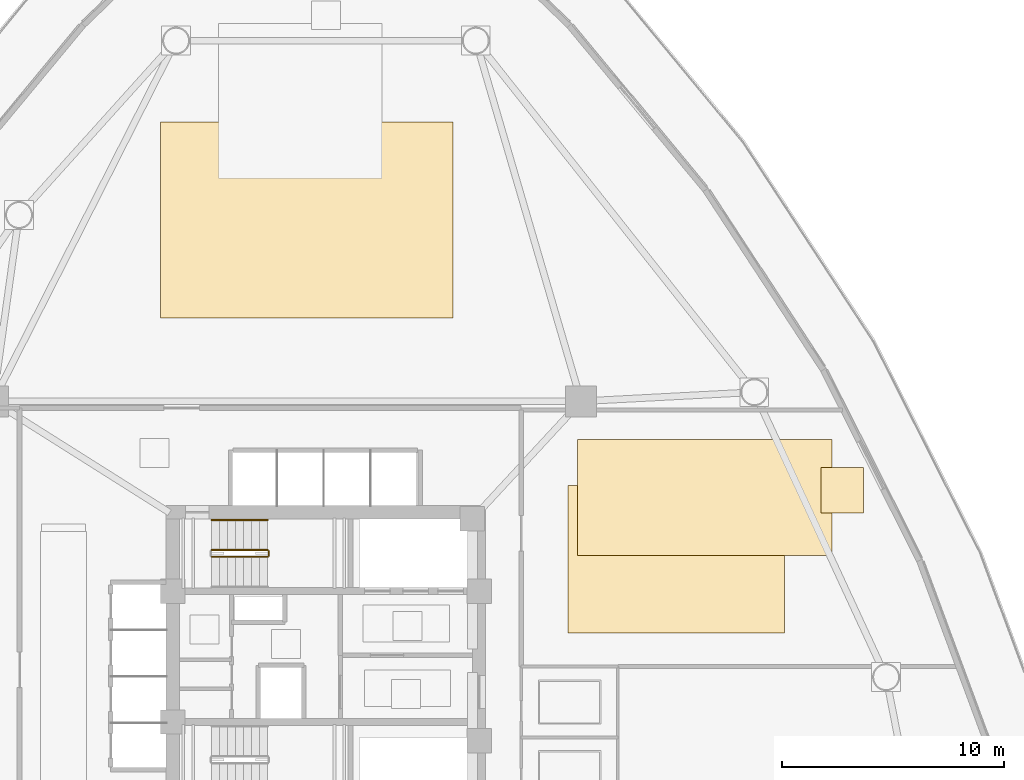
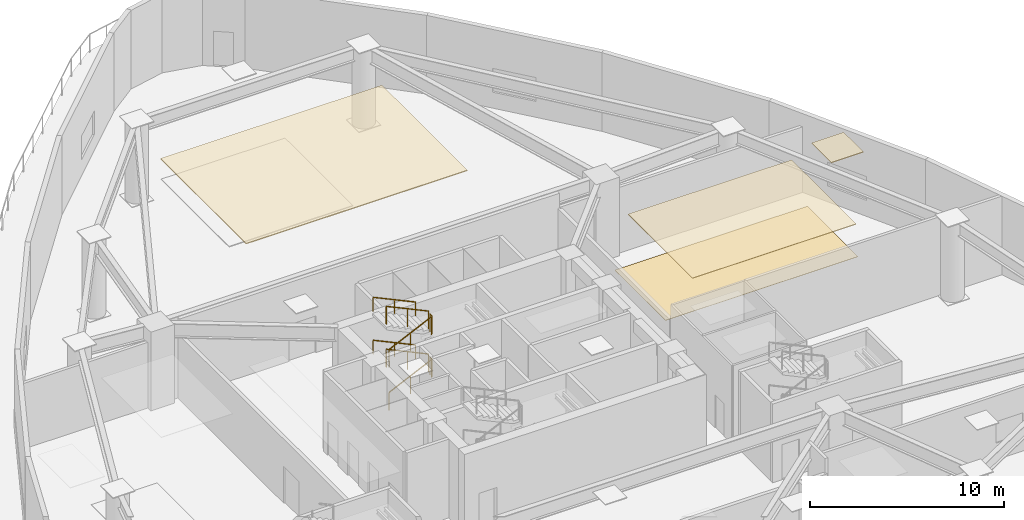
# One storey, part 12 of 13: 8 railings, 4 coverings.
"""IFC4 building model written with IfcOpenShell, lengths in metres."""

import ifcopenshell
import ifcopenshell.guid

model = None  # the IFC model being written
_history = None  # IfcOwnerHistory: only IFC2X3 demands one
_inside = {}  # id of a spatial element -> (the spatial element, [elements in it])
_under = {}  # id of a project, library or spatial element -> (it, [spatial elements below it])
_declared = {}  # id of a project -> (the project, [libraries it declares])
_typed = {}  # id of a type object -> (the type object, [elements of that type])
_made_of = {}  # id of a material, layer set ... -> (it, [elements and type objects made of it])


def new_model(schema):
    """Start an empty IFC model of exactly this schema.

    Asked for "IFC4X3", IfcOpenShell would pick the latest addendum, in which some entities
    have other attributes; the version numbers below select the first issue.
    IFC2X3 requires an IfcOwnerHistory on every rooted entity: one is made here for all.
    """
    global model, _history
    if schema == "IFC4X3":
        model = ifcopenshell.file(schema_version=(4, 3, 0, 0))
    else:
        model = ifcopenshell.file(schema=schema)
    _inside.clear()
    _under.clear()
    _declared.clear()
    _typed.clear()
    _made_of.clear()
    _history = None
    if model.schema == "IFC2X3":
        org = make("IfcOrganization", Name="unknown")
        user = make(
            "IfcPersonAndOrganization",
            ThePerson=make("IfcPerson", FamilyName="unknown"),
            TheOrganization=org,
        )
        app = make(
            "IfcApplication",
            ApplicationDeveloper=org,
            Version="unknown",
            ApplicationFullName="unknown",
            ApplicationIdentifier="unknown",
        )
        _history = make(
            "IfcOwnerHistory",
            OwningUser=user,
            OwningApplication=app,
            ChangeAction="ADDED",
            CreationDate=0,
        )
    return model


def make(cls, **values):
    """One entity of the class cls with the attributes given. An attribute that is None is left unset."""
    return model.create_entity(
        cls, **{name: value for name, value in values.items() if value is not None}
    )


def rooted(cls, **values):
    """An entity with a GlobalId (a new one), such as an element, a storey or a relation."""
    return make(cls, GlobalId=ifcopenshell.guid.new(), OwnerHistory=_history, **values)


def si_unit(unit_type, name, prefix=None):
    """IfcSIUnit, for example si_unit("LENGTHUNIT", "METRE", prefix="MILLI")."""
    return make("IfcSIUnit", UnitType=unit_type, Prefix=prefix, Name=name)


def assignment(units):
    """IfcUnitAssignment: the units of a project."""
    return None if units is None else make("IfcUnitAssignment", Units=units)


def point(xyz):
    """IfcCartesianPoint."""
    return None if xyz is None else make("IfcCartesianPoint", Coordinates=xyz)


def direction(xyz):
    """IfcDirection."""
    return None if xyz is None else make("IfcDirection", DirectionRatios=xyz)


def frame(location, z_axis=None, x_axis=None):
    """IfcAxis2Placement3D, a coordinate frame: its origin and axes. An axis left out is left unset."""
    return make(
        "IfcAxis2Placement3D",
        Location=point(location),
        Axis=direction(z_axis),
        RefDirection=direction(x_axis),
    )


def frame_2d(location, x_axis=None):
    """IfcAxis2Placement2D, a coordinate frame in the plane: its origin and x axis."""
    return make(
        "IfcAxis2Placement2D", Location=point(location), RefDirection=direction(x_axis)
    )


def origin():
    """The frame at (0, 0, 0) with its axes left unset."""
    return frame((0.0, 0.0, 0.0))


def origin_2d():
    """The frame at (0, 0) in the plane with its x axis left unset."""
    return frame_2d((0.0, 0.0))


def place(relative_to, where):
    """IfcLocalPlacement: puts the frame where relative to a parent placement (None: the world)."""
    return make(
        "IfcLocalPlacement", PlacementRelTo=relative_to, RelativePlacement=where
    )


def context(
    kind, dimensions, precision=None, world=None, true_north=None, identifier=None
):
    """IfcGeometricRepresentationContext, for example the 3D "Model" context."""
    return make(
        "IfcGeometricRepresentationContext",
        ContextIdentifier=identifier,
        ContextType=kind,
        CoordinateSpaceDimension=dimensions,
        Precision=precision,
        WorldCoordinateSystem=world,
        TrueNorth=true_north,
    )


def subcontext(parent, identifier, kind, view, scale=None):
    """IfcGeometricRepresentationSubContext, for example "Body" below "Model"."""
    return make(
        "IfcGeometricRepresentationSubContext",
        ContextIdentifier=identifier,
        ContextType=kind,
        ParentContext=parent,
        TargetScale=scale,
        TargetView=view,
    )


def project(units=None, contexts=None):
    """IfcProject with its units and contexts."""
    return rooted(
        "IfcProject",
        Name="project",
        RepresentationContexts=contexts,
        UnitsInContext=assignment(units),
    )


def spatial(cls, under=None, at=None, **own):
    """A site, building, storey or space (cls), placed at a placement, below another one or the project."""
    s = rooted(cls, ObjectPlacement=at, **own)
    if under is not None:
        _under.setdefault(under.id(), (under, []))[1].append(s)
    return s


def polyline(points):
    """IfcPolyline through the points."""
    return make("IfcPolyline", Points=[point(p) for p in points])


def profile(cls, at=None, kind="AREA", **sizes):
    """A parametric profile (cls). Its sizes go by their IFC names, for example OverallWidth=200.0."""
    return make(cls, ProfileType=kind, Position=at, **sizes)


def rectangle(**sizes):
    """IfcRectangleProfileDef."""
    return profile("IfcRectangleProfileDef", **sizes)


def outline(outer, holes=None, kind="AREA"):
    """IfcArbitraryClosedProfileDef: a profile drawn as a closed curve; with holes, ...WithVoids."""
    if holes is None:
        return make("IfcArbitraryClosedProfileDef", ProfileType=kind, OuterCurve=outer)
    return make(
        "IfcArbitraryProfileDefWithVoids",
        ProfileType=kind,
        OuterCurve=outer,
        InnerCurves=holes,
    )


def extrude(swept, where, along, depth):
    """IfcExtrudedAreaSolid: the profile swept, set in the frame where, extruded along a direction by depth."""
    return make(
        "IfcExtrudedAreaSolid",
        SweptArea=swept,
        Position=where,
        ExtrudedDirection=direction(along),
        Depth=depth,
    )


def shape(context_of_items, identifier, shape_type, items):
    """IfcShapeRepresentation: the items that make up one representation, for example the "Body"."""
    return make(
        "IfcShapeRepresentation",
        ContextOfItems=context_of_items,
        RepresentationIdentifier=identifier,
        RepresentationType=shape_type,
        Items=items,
    )


def material(Name=None, Category=None):
    """IfcMaterial."""
    return make("IfcMaterial", Name=Name, Category=Category)


def layer(
    of_material, thickness, ventilated=None, Name=None, Category=None, Priority=None
):
    """IfcMaterialLayer: one layer of a wall or slab, of a material (None: an air gap)."""
    return make(
        "IfcMaterialLayer",
        Material=of_material,
        LayerThickness=thickness,
        IsVentilated=ventilated,
        Name=Name,
        Category=Category,
        Priority=Priority,
    )


def layer_set(layers, Name=None):
    """IfcMaterialLayerSet."""
    return make("IfcMaterialLayerSet", MaterialLayers=layers, LayerSetName=Name)


def made_of(thing, what):
    """Note that an element or type object is made of a material, layer set ...; save() writes the relation."""
    if what is not None:
        _made_of.setdefault(what.id(), (what, []))[1].append(thing)
    return thing


def type_object(cls, material=None, **own):
    """A type object (cls), such as IfcWallType, which elements share."""
    return made_of(rooted(cls, **own), material)


def element(
    cls,
    number,
    at=None,
    inside=None,
    cuts=None,
    type_object=None,
    material=None,
    context=None,
    identifier="Body",
    shape_type=None,
    held_by="IfcProductDefinitionShape",
    body=None,
    shapes=None,
    **own,
):
    """One element of the class cls, such as IfcWall. Its Tag is "e" and its number.

    at: its placement. inside: the storey or other place that contains it. cuts: it is an
    opening in that element (IfcRelVoidsElement). A single representation is given by context,
    identifier, shape_type and body (its items); several are given by shapes. held_by: the class
    of the entity that holds the representations. save() writes the other relations.
    """
    e = rooted(cls, Tag="e%d" % number, ObjectPlacement=at, **own)
    if body is not None:
        shapes = [shape(context, identifier, shape_type, body)]
    if shapes is not None:
        e.Representation = make(held_by, Representations=shapes)
    if inside is not None:
        _inside.setdefault(inside.id(), (inside, []))[1].append(e)
    if cuts is not None:
        rooted(
            "IfcRelVoidsElement", RelatingBuildingElement=cuts, RelatedOpeningElement=e
        )
    if type_object is not None:
        _typed.setdefault(type_object.id(), (type_object, []))[1].append(e)
    return made_of(e, material)


def aggregate(whole, parts):
    """IfcRelAggregates: a whole, such as a stair, and the parts it consists of."""
    return rooted("IfcRelAggregates", RelatingObject=whole, RelatedObjects=parts)


def save(model, path):
    """Write the relations noted so far, then the file.

    IfcRelAggregates (storeys below a building ...), IfcRelContainedInSpatialStructure (elements
    in a storey), IfcRelDefinesByType, IfcRelAssociatesMaterial and IfcRelDeclares: one each for
    every whole, place, type object, material and project.
    """
    for whole, parts in _under.values():
        aggregate(whole, parts)
    for where, things in _inside.values():
        rooted(
            "IfcRelContainedInSpatialStructure",
            RelatedElements=things,
            RelatingStructure=where,
        )
    for kind, things in _typed.values():
        rooted("IfcRelDefinesByType", RelatedObjects=things, RelatingType=kind)
    for what, things in _made_of.values():
        rooted("IfcRelAssociatesMaterial", RelatedObjects=things, RelatingMaterial=what)
    for by, libraries in _declared.values():
        rooted("IfcRelDeclares", RelatingContext=by, RelatedDefinitions=libraries)
    model.write(path)


model = new_model("IFC4")

# Units and contexts
model_context = context("Model", 3, precision=1e-05, world=origin(), true_north=direction((0.0, 1.0)))
body_context = subcontext(model_context, "Body", "Model", "MODEL_VIEW")
ifc_project = project(units=[si_unit("LENGTHUNIT", "METRE"), si_unit("AREAUNIT", "SQUARE_METRE"), si_unit("VOLUMEUNIT", "CUBIC_METRE"), si_unit("PLANEANGLEUNIT", "RADIAN"), si_unit("MASSUNIT", "GRAM", prefix="KILO")], contexts=[model_context])

# Site, building, storey
site_placement = place(None, origin())
site = spatial("IfcSite", under=ifc_project, at=site_placement, CompositionType="ELEMENT")
building_placement = place(site_placement, origin())
building = spatial("IfcBuilding", under=site, at=building_placement, Name="Tavelor Broadcast Tower", CompositionType="ELEMENT")
storey_placement = place(building_placement, frame((0.0, 0.0, 16.800048828125)))
storey = spatial("IfcBuildingStorey", under=building, at=storey_placement, Name="L03", CompositionType="ELEMENT", Elevation=16.800048828125)

# Railings
ifc_material_1 = material(Name="Steel S355", Category="steel")
railing_type_1 = type_object("IfcRailingType", Name="Continuous Brushed Stainless Handrail 900 mm", PredefinedType="HANDRAIL", material=ifc_material_1)
for number, where, name in (
    (1, (47.3701171875, 51.14990234375, 1.518798828125), "L03 ST1 stair handrail 2"),
    (2, (47.3701171875, 51.14990234375, 4.21875), "L03 ST1 stair handrail 4"),
):
    element("IfcRailing", number, at=place(storey_placement, frame(where)), inside=storey, type_object=railing_type_1, Name=name, PredefinedType="HANDRAIL", context=body_context, shape_type="SweptSolid", body=[
        extrude(rectangle(XDim=0.048095703125, YDim=0.048095703125, at=origin_2d()), frame((0.0, 0.0, 0.8759765625), z_axis=(-0.905473684625, 0.0, 0.424402410988), x_axis=(0.0, -1.0, 0.0)), (0.0, 0.0, 1.0), 2.783203125),
        extrude(rectangle(XDim=0.0419921875, YDim=0.0419921875, at=origin_2d()), origin(), (0.0, 0.0, 1.0), 0.851806640625),
        extrude(rectangle(XDim=0.0419921875, YDim=0.0419921875, at=origin_2d()), frame((-1.260009765625, 0.0, 0.590576171875)), (0.0, 0.0, 1.0), 0.851806640625),
        extrude(rectangle(XDim=0.0419921875, YDim=0.0419921875, at=origin_2d()), frame((-2.52001953125, 0.0, 1.18115234375)), (0.0, 0.0, 1.0), 0.851806640625),
    ])

# Coverings
ifc_material_2 = material(Name="Acoustic Nylon Carpet Tile")
ifc_layer_1 = layer(ifc_material_2, 0.02001953125)
ifc_layer_set_1 = layer_set([ifc_layer_1], Name="Acoustic Nylon Carpet Tile")
covering_type_1 = type_object("IfcCoveringType", Name="Heavy-Duty Acoustic Broadcast Carpet Tile 20 mm", PredefinedType="FLOORING", material=ifc_layer_set_1)
covering_1_placement = place(storey_placement, origin())
element("IfcCovering", 3, at=covering_1_placement, inside=storey, type_object=covering_type_1, Name="L03 Broadcast Floor Finish 0043", PredefinedType="FLOORING", context=body_context, shape_type="SweptSolid", body=[
    extrude(outline(polyline([(61.330810546875, 49.5556640625), (72.79248046875, 49.5556640625), (72.79248046875, 54.78173828125), (61.330810546875, 54.78173828125), (61.330810546875, 49.5556640625)])), origin(), (0.0, 0.0, 1.0), 0.02001953125),
])
ifc_material_3 = material(Name="Acoustic Perforated Timber Baffle", Category="wood")
ifc_layer_2 = layer(ifc_material_3, 0.054931640625)
ifc_layer_set_2 = layer_set([ifc_layer_2], Name="Acoustic Perforated Timber Baffle")
covering_type_2 = type_object("IfcCoveringType", Name="Micro-Perforated Acoustic Baffle Studio Ceiling 55 mm", PredefinedType="CEILING", material=ifc_layer_set_2)
covering_2_placement = place(storey_placement, frame((0.0, 0.0, 4.89501953125)))
element("IfcCovering", 4, at=covering_2_placement, inside=storey, type_object=covering_type_2, Name="L03 Suspended Acoustic Ceiling 0095", PredefinedType="CEILING", context=body_context, shape_type="SweptSolid", body=[
    extrude(outline(polyline([(42.548095703125, 60.2587890625), (55.727783203125, 60.2587890625), (55.727783203125, 69.076904296875), (42.548095703125, 69.076904296875), (42.548095703125, 60.2587890625)])), origin(), (0.0, 0.0, 1.0), 0.054931640625),
])

# Railings
railing_type_2 = type_object("IfcRailingType", Name="Stairwell Steel Safety Guardrail 1150 mm", PredefinedType="GUARDRAIL", material=ifc_material_1)
railing_1_placement = place(storey_placement, frame((44.85009765625, 49.5, 0.168701171875)))
element("IfcRailing", 5, at=railing_1_placement, inside=storey, type_object=railing_type_2, Name="L03 ST1 stair guard 1", PredefinedType="GUARDRAIL", context=body_context, shape_type="SweptSolid", body=[
    extrude(rectangle(XDim=0.048095703125, YDim=0.048095703125, at=origin_2d()), frame((0.0, 0.0, 1.1259765625), z_axis=(0.905473684625, 0.0, 0.424402410988), x_axis=(0.0, 1.0, 0.0)), (0.0, 0.0, 1.0), 2.783203125),
    extrude(rectangle(XDim=0.0419921875, YDim=0.0419921875, at=origin_2d()), origin(), (0.0, 0.0, 1.0), 1.101806640625),
    extrude(rectangle(XDim=0.0419921875, YDim=0.0419921875, at=origin_2d()), frame((1.260009765625, 0.0, 0.590576171875)), (0.0, 0.0, 1.0), 1.101806640625),
    extrude(rectangle(XDim=0.0419921875, YDim=0.0419921875, at=origin_2d()), frame((2.52001953125, 0.0, 1.18115234375)), (0.0, 0.0, 1.0), 1.101806640625),
])
railing_2_placement = place(storey_placement, frame((47.419921875, 49.550048828125, 1.349853515625)))
element("IfcRailing", 6, at=railing_2_placement, inside=storey, type_object=railing_type_2, Name="L03 ST1 stair guard 2", PredefinedType="GUARDRAIL", context=body_context, shape_type="SweptSolid", body=[
    extrude(rectangle(XDim=0.048095703125, YDim=0.048095703125, at=origin_2d()), frame((0.0, 0.0, 1.1259765625), z_axis=(0.0, 1.0, 0.0), x_axis=(-1.0, 0.0, 0.0)), (0.0, 0.0, 1.0), 0.199951171875),
    extrude(rectangle(XDim=0.0419921875, YDim=0.0419921875, at=origin_2d()), origin(), (0.0, 0.0, 1.0), 1.101806640625),
    extrude(rectangle(XDim=0.0419921875, YDim=0.0419921875, at=origin_2d()), frame((0.0, 0.199951171875, 0.0)), (0.0, 0.0, 1.0), 1.101806640625),
])
railing_3_placement = place(storey_placement, frame((47.3701171875, 49.800048828125, 1.518798828125)))
element("IfcRailing", 7, at=railing_3_placement, inside=storey, type_object=railing_type_2, Name="L03 ST1 stair guard 3", PredefinedType="GUARDRAIL", context=body_context, shape_type="SweptSolid", body=[
    extrude(rectangle(XDim=0.048095703125, YDim=0.048095703125, at=origin_2d()), frame((0.0, 0.0, 1.1259765625), z_axis=(-0.905473684625, 0.0, 0.424402410988), x_axis=(0.0, -1.0, 0.0)), (0.0, 0.0, 1.0), 2.783203125),
    extrude(rectangle(XDim=0.0419921875, YDim=0.0419921875, at=origin_2d()), origin(), (0.0, 0.0, 1.0), 1.101806640625),
    extrude(rectangle(XDim=0.0419921875, YDim=0.0419921875, at=origin_2d()), frame((-1.260009765625, 0.0, 0.590576171875)), (0.0, 0.0, 1.0), 1.101806640625),
    extrude(rectangle(XDim=0.0419921875, YDim=0.0419921875, at=origin_2d()), frame((-2.52001953125, 0.0, 1.18115234375)), (0.0, 0.0, 1.0), 1.101806640625),
])
railing_4_placement = place(storey_placement, frame((44.85009765625, 49.5, 2.86865234375)))
element("IfcRailing", 8, at=railing_4_placement, inside=storey, type_object=railing_type_2, Name="L03 ST1 stair guard 5", PredefinedType="GUARDRAIL", context=body_context, shape_type="SweptSolid", body=[
    extrude(rectangle(XDim=0.048095703125, YDim=0.048095703125, at=origin_2d()), frame((0.0, 0.0, 1.1259765625), z_axis=(0.905439972488, 0.0, 0.424474329284), x_axis=(0.0, 1.0, 0.0)), (0.0, 0.0, 1.0), 2.783203125),
    extrude(rectangle(XDim=0.0419921875, YDim=0.0419921875, at=origin_2d()), origin(), (0.0, 0.0, 1.0), 1.101806640625),
    extrude(rectangle(XDim=0.0419921875, YDim=0.0419921875, at=origin_2d()), frame((1.260009765625, 0.0, 0.5908203125)), (0.0, 0.0, 1.0), 1.101806640625),
    extrude(rectangle(XDim=0.0419921875, YDim=0.0419921875, at=origin_2d()), frame((2.52001953125, 0.0, 1.181396484375)), (0.0, 0.0, 1.0), 1.101806640625),
])
railing_5_placement = place(storey_placement, frame((47.419921875, 49.550048828125, 4.050048828125)))
element("IfcRailing", 9, at=railing_5_placement, inside=storey, type_object=railing_type_2, Name="L03 ST1 stair guard 6", PredefinedType="GUARDRAIL", context=body_context, shape_type="SweptSolid", body=[
    extrude(rectangle(XDim=0.048095703125, YDim=0.048095703125, at=origin_2d()), frame((0.0, 0.0, 1.1259765625), z_axis=(0.0, 1.0, 0.0), x_axis=(-1.0, 0.0, 0.0)), (0.0, 0.0, 1.0), 0.199951171875),
    extrude(rectangle(XDim=0.0419921875, YDim=0.0419921875, at=origin_2d()), origin(), (0.0, 0.0, 1.0), 1.101806640625),
    extrude(rectangle(XDim=0.0419921875, YDim=0.0419921875, at=origin_2d()), frame((0.0, 0.199951171875, 0.0)), (0.0, 0.0, 1.0), 1.101806640625),
])
railing_6_placement = place(storey_placement, frame((47.3701171875, 49.800048828125, 4.21875)))
element("IfcRailing", 10, at=railing_6_placement, inside=storey, type_object=railing_type_2, Name="L03 ST1 stair guard 7", PredefinedType="GUARDRAIL", context=body_context, shape_type="SweptSolid", body=[
    extrude(rectangle(XDim=0.048095703125, YDim=0.048095703125, at=origin_2d()), frame((0.0, 0.0, 1.1259765625), z_axis=(-0.905473684625, 0.0, 0.424402410988), x_axis=(0.0, -1.0, 0.0)), (0.0, 0.0, 1.0), 2.783203125),
    extrude(rectangle(XDim=0.0419921875, YDim=0.0419921875, at=origin_2d()), origin(), (0.0, 0.0, 1.0), 1.101806640625),
    extrude(rectangle(XDim=0.0419921875, YDim=0.0419921875, at=origin_2d()), frame((-1.260009765625, 0.0, 0.590576171875)), (0.0, 0.0, 1.0), 1.101806640625),
    extrude(rectangle(XDim=0.0419921875, YDim=0.0419921875, at=origin_2d()), frame((-2.52001953125, 0.0, 1.18115234375)), (0.0, 0.0, 1.0), 1.101806640625),
])

# Coverings
ifc_material_4 = material(Name="Acoustic Mineral Fibre Tile")
ifc_layer_3 = layer(ifc_material_4, 0.0400390625)
ifc_layer_set_3 = layer_set([ifc_layer_3], Name="Acoustic Mineral Fibre Tile")
covering_type_3 = type_object("IfcCoveringType", Name="Suspended Acoustic Mineral-Fibre Office Ceiling 40 mm", PredefinedType="CEILING", material=ifc_layer_set_3)
covering_3_placement = place(storey_placement, frame((0.0, 0.0, 4.909912109375)))
element("IfcCovering", 11, at=covering_3_placement, inside=storey, type_object=covering_type_3, Name="L03 Suspended Acoustic Ceiling 0100", PredefinedType="CEILING", context=body_context, shape_type="SweptSolid", body=[
    extrude(outline(polyline([(72.30517578125, 51.476806640625), (74.21875, 51.476806640625), (74.21875, 53.508056640625), (72.30517578125, 53.508056640625), (72.30517578125, 51.476806640625)])), origin(), (0.0, 0.0, 1.0), 0.0400390625),
])
covering_4_placement = place(storey_placement, frame((0.0, 0.0, 4.909912109375)))
element("IfcCovering", 12, at=covering_4_placement, inside=storey, type_object=covering_type_3, Name="L03 Suspended Acoustic Ceiling 0101", PredefinedType="CEILING", context=body_context, shape_type="SweptSolid", body=[
    extrude(outline(polyline([(60.91650390625, 46.054931640625), (70.6591796875, 46.054931640625), (70.6591796875, 52.703857421875), (60.91650390625, 52.703857421875), (60.91650390625, 46.054931640625)])), origin(), (0.0, 0.0, 1.0), 0.0400390625),
])

save(model, "model.ifc")
